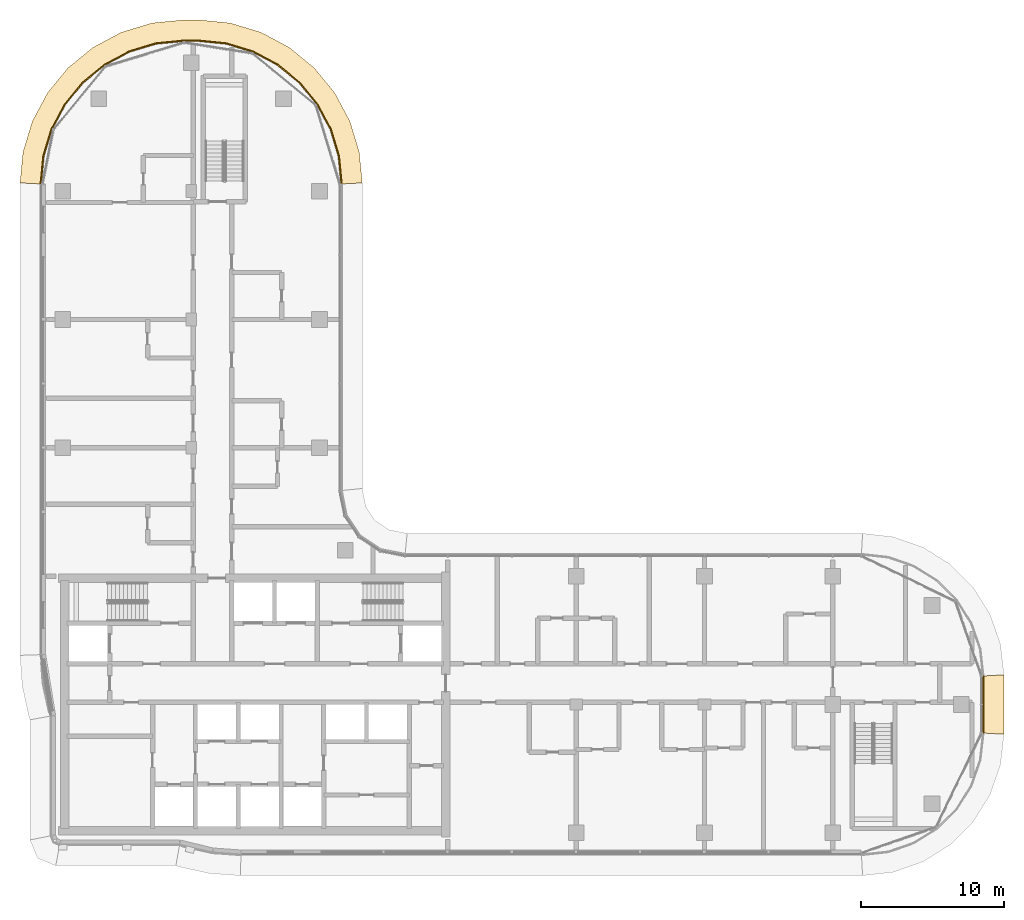
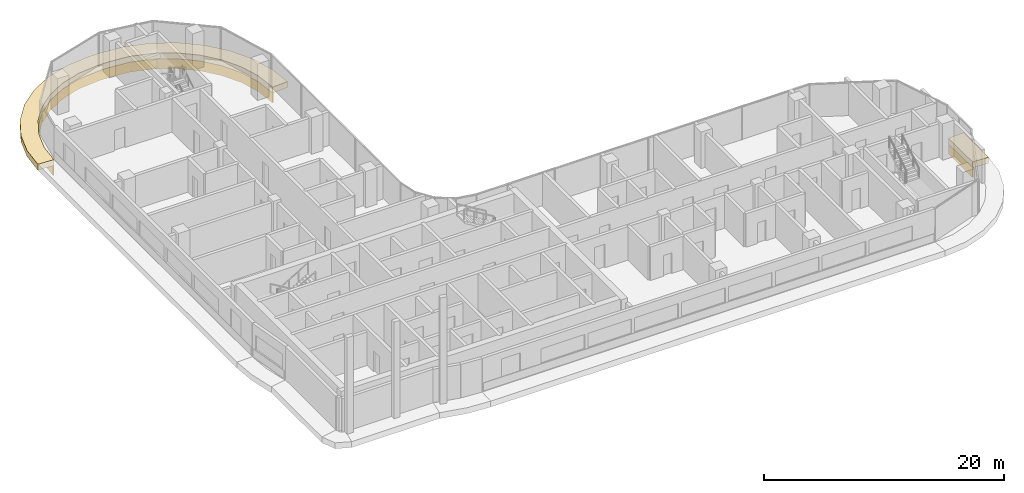
# One storey, part 24 of 24: 4 coverings.
"""IFC4 building model written with IfcOpenShell, lengths in metres."""

from ifc_helpers import new_model, si_unit, direction, frame, origin, place, context, subcontext, project, spatial, polyline, outline, extrude, material, layer, layer_set, type_object, element, save


model = new_model("IFC4")

# Units and contexts
model_context = context("Model", 3, precision=1e-05, world=origin(), true_north=direction((0.0, 1.0)))
body_context = subcontext(model_context, "Body", "Model", "MODEL_VIEW")
ifc_project = project(units=[si_unit("LENGTHUNIT", "METRE"), si_unit("AREAUNIT", "SQUARE_METRE"), si_unit("VOLUMEUNIT", "CUBIC_METRE"), si_unit("PLANEANGLEUNIT", "RADIAN"), si_unit("MASSUNIT", "GRAM", prefix="KILO")], contexts=[model_context])

# Site, building, storey
site_placement = place(None, origin())
site = spatial("IfcSite", under=ifc_project, at=site_placement, CompositionType="ELEMENT")
building_placement = place(site_placement, origin())
building = spatial("IfcBuilding", under=site, at=building_placement, Name="Ogive Portal Towers", CompositionType="ELEMENT")
storey_placement = place(building_placement, frame((0.0, 0.0, 142.199951171875)))
storey = spatial("IfcBuildingStorey", under=building, at=storey_placement, Name="L34", CompositionType="ELEMENT", Elevation=142.199951171875)

# Coverings
ifc_material = material(Name="Limestone cladding on lightweight block wall", Category="masonry")
ifc_layer_1 = layer(ifc_material, 0.080078125)
ifc_layer_set_1 = layer_set([ifc_layer_1], Name="STONE SPANDREL 80")
covering_type_1 = type_object("IfcCoveringType", Name="STONE SPANDREL 80", PredefinedType="CLADDING", material=ifc_layer_set_1)
covering_1_placement = place(storey_placement, frame((0.0, 0.0, -1.599853515625)))
element("IfcCovering", 1, at=covering_1_placement, inside=storey, type_object=covering_type_1, Name="Stone spandrel A1-F07", PredefinedType="CLADDING", context=body_context, shape_type="SweptSolid", body=[
    extrude(outline(polyline([(96.0, 28.5), (96.0, 32.5), (96.080078125, 32.50439453125), (96.080078125, 28.49560546875), (96.0, 28.5)])), origin(), (0.0, 0.0, 1.0), 1.0),
])
covering_2_placement = place(storey_placement, frame((0.0, 0.0, -1.599853515625)))
element("IfcCovering", 2, at=covering_2_placement, inside=storey, type_object=covering_type_1, Name="Stone spandrel A1-F12", PredefinedType="CLADDING", context=body_context, shape_type="SweptSolid", body=[
    extrude(outline(polyline([(51.0, 67.0), (50.807861328125, 68.950927734375), (50.23876953125, 70.826904296875), (49.314697265625, 72.5556640625), (48.071044921875, 74.071044921875), (46.5556640625, 75.314697265625), (44.826904296875, 76.23876953125), (42.950927734375, 76.807861328125), (41.0, 77.0), (40.0, 77.0), (38.049072265625, 76.807861328125), (36.173095703125, 76.23876953125), (34.4443359375, 75.314697265625), (32.928955078125, 74.071044921875), (31.685302734375, 72.5556640625), (30.76123046875, 70.826904296875), (30.192138671875, 68.950927734375), (30.0, 67.0), (29.919921875, 67.00390625), (30.11328125, 68.966552734375), (30.68701171875, 70.857666015625), (31.618408203125, 72.600341796875), (32.8720703125, 74.1279296875), (34.399658203125, 75.381591796875), (36.142333984375, 76.31298828125), (38.033447265625, 76.88671875), (39.99609375, 77.080078125), (41.00390625, 77.080078125), (42.966552734375, 76.88671875), (44.857666015625, 76.31298828125), (46.600341796875, 75.381591796875), (48.1279296875, 74.1279296875), (49.381591796875, 72.600341796875), (50.31298828125, 70.857666015625), (50.88671875, 68.966552734375), (51.080078125, 67.00390625), (51.0, 67.0)])), origin(), (0.0, 0.0, 1.0), 1.0),
])
ifc_layer_2 = layer(ifc_material, 0.60009765625)
ifc_layer_set_2 = layer_set([ifc_layer_2], Name="SUNSHADE LIP 600")
covering_type_2 = type_object("IfcCoveringType", Name="SUNSHADE LIP 600", PredefinedType="CLADDING", material=ifc_layer_set_2)
covering_3_placement = place(storey_placement, frame((0.0, 0.0, -0.599853515625)))
element("IfcCovering", 3, at=covering_3_placement, inside=storey, type_object=covering_type_2, Name="Sunshade lip A1-F07", PredefinedType="CLADDING", context=body_context, shape_type="SweptSolid", body=[
    extrude(outline(polyline([(96.0, 28.5), (96.0, 32.5), (97.5, 32.584228515625), (97.5, 28.415771484375), (96.0, 28.5)])), origin(), (0.0, 0.0, 1.0), 0.599853515625),
])
covering_4_placement = place(storey_placement, frame((0.0, 0.0, -0.599853515625)))
element("IfcCovering", 4, at=covering_4_placement, inside=storey, type_object=covering_type_2, Name="Sunshade lip A1-F12", PredefinedType="CLADDING", context=body_context, shape_type="SweptSolid", body=[
    extrude(outline(polyline([(51.0, 67.0), (50.807861328125, 68.950927734375), (50.23876953125, 70.826904296875), (49.314697265625, 72.5556640625), (48.071044921875, 74.071044921875), (46.5556640625, 75.314697265625), (44.826904296875, 76.23876953125), (42.950927734375, 76.807861328125), (41.0, 77.0), (40.0, 77.0), (38.049072265625, 76.807861328125), (36.173095703125, 76.23876953125), (34.4443359375, 75.314697265625), (32.928955078125, 74.071044921875), (31.685302734375, 72.5556640625), (30.76123046875, 70.826904296875), (30.192138671875, 68.950927734375), (30.0, 67.0), (28.5, 67.07373046875), (28.7138671875, 69.244873046875), (29.36865234375, 71.403564453125), (30.43212890625, 73.39306640625), (31.863037109375, 75.136962890625), (33.60693359375, 76.56787109375), (35.596435546875, 77.63134765625), (37.755126953125, 78.2861328125), (39.92626953125, 78.5), (41.07373046875, 78.5), (43.244873046875, 78.2861328125), (45.403564453125, 77.63134765625), (47.39306640625, 76.56787109375), (49.136962890625, 75.136962890625), (50.56787109375, 73.39306640625), (51.63134765625, 71.403564453125), (52.2861328125, 69.244873046875), (52.5, 67.07373046875), (51.0, 67.0)])), origin(), (0.0, 0.0, 1.0), 0.599853515625),
])

save(model, "model.ifc")
